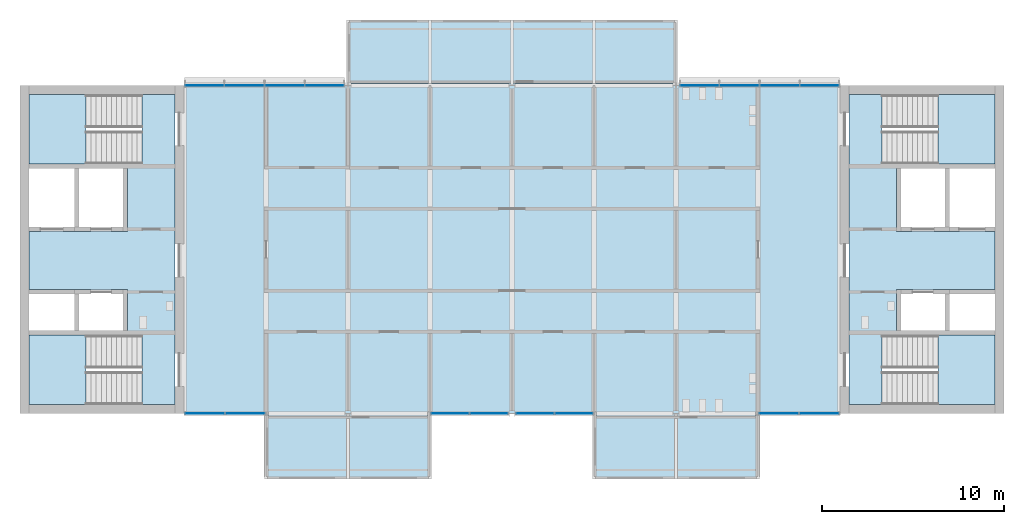
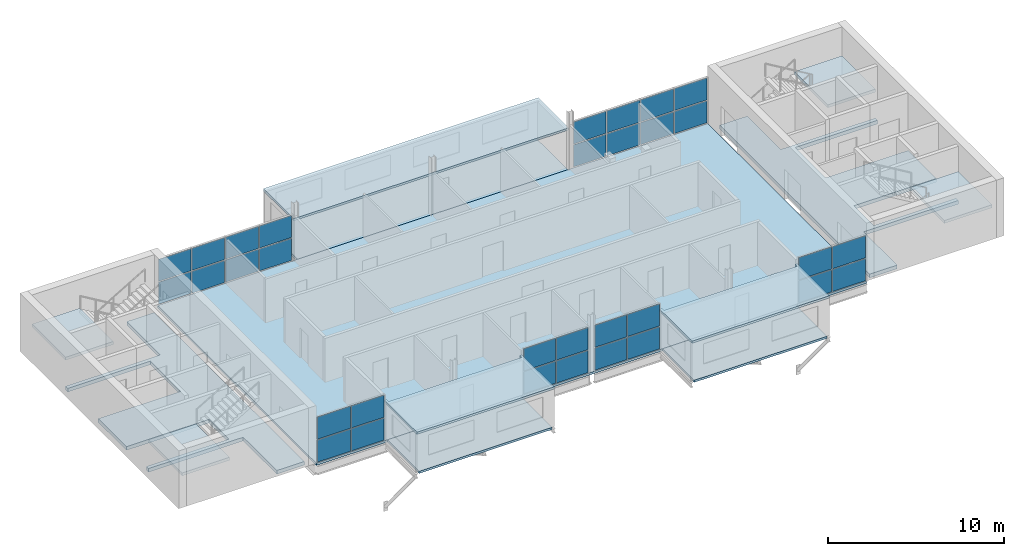
# One storey, part 4 of 12: 32 plates, 13 slabs, 10 elements without a shape of their own.
"""IFC4 building model written with IfcOpenShell, lengths in metres."""

from ifc_helpers import new_model, si_unit, direction, frame, origin, origin_2d, place, context, subcontext, project, spatial, polyline, rectangle, outline, extrude, material, layer, layer_set, type_object, element, aggregate, save


model = new_model("IFC4")

# Units and contexts
model_context = context("Model", 3, precision=1e-05, world=origin(), true_north=direction((0.0, 1.0)))
body_context = subcontext(model_context, "Body", "Model", "MODEL_VIEW")
ifc_project = project(units=[si_unit("LENGTHUNIT", "METRE"), si_unit("AREAUNIT", "SQUARE_METRE"), si_unit("VOLUMEUNIT", "CUBIC_METRE"), si_unit("PLANEANGLEUNIT", "RADIAN"), si_unit("MASSUNIT", "GRAM", prefix="KILO")], contexts=[model_context])

# Site, building, storey
site_placement = place(None, origin())
site = spatial("IfcSite", under=ifc_project, at=site_placement, CompositionType="ELEMENT")
building_placement = place(site_placement, origin())
building = spatial("IfcBuilding", under=site, at=building_placement, Name="Corbel Yard City Hall", CompositionType="ELEMENT")
storey_placement = place(building_placement, frame((0.0, 0.0, 55.199951171875)))
storey = spatial("IfcBuildingStorey", under=building, at=storey_placement, Name="L13", CompositionType="ELEMENT", Elevation=55.199951171875)

# Slabs
ifc_material_1 = material(Name="Concrete N40 (40 MPa)", Category="concrete")
ifc_layer_1 = layer(ifc_material_1, 0.25)
ifc_layer_set_1 = layer_set([ifc_layer_1], Name="Concrete N40 (40 MPa)")
slab_type_1 = type_object("IfcSlabType", Name="CF1", PredefinedType="FLOOR", material=ifc_layer_set_1)
slab_1_placement = place(storey_placement, frame((0.0, 0.0, -0.25)))
element("IfcSlab", 1, at=slab_1_placement, inside=storey, type_object=slab_type_1, Name="Core floor slab", PredefinedType="FLOOR", context=body_context, shape_type="SweptSolid", body=[
    extrude(outline(polyline([(8.5, 116.5), (6.698974609375, 116.5), (6.698974609375, 112.699951171875), (0.5, 112.699951171875), (0.5, 112.449951171875), (5.89990234375, 112.449951171875), (5.89990234375, 109.0), (0.5, 109.0), (0.5, 105.800048828125), (5.89990234375, 105.800048828125), (5.89990234375, 103.550048828125), (0.5, 103.550048828125), (0.5, 103.300048828125), (6.698974609375, 103.300048828125), (6.698974609375, 99.5), (8.5, 99.5), (8.5, 116.5)])), origin(), (0.0, 0.0, 1.0), 0.25),
])
slab_2_placement = place(storey_placement, frame((0.0, 0.0, -0.25)))
element("IfcSlab", 2, at=slab_2_placement, inside=storey, type_object=slab_type_1, Name="Core floor slab", PredefinedType="FLOOR", context=body_context, shape_type="SweptSolid", body=[
    extrude(outline(polyline([(53.5, 103.300048828125), (53.5, 103.550048828125), (48.10009765625, 103.550048828125), (48.10009765625, 105.800048828125), (53.5, 105.800048828125), (53.5, 109.0), (48.10009765625, 109.0), (48.10009765625, 112.449951171875), (53.5, 112.449951171875), (53.5, 112.699951171875), (47.301025390625, 112.699951171875), (47.301025390625, 116.5), (45.5, 116.5), (45.5, 99.5), (47.301025390625, 99.5), (47.301025390625, 103.300048828125), (53.5, 103.300048828125)])), origin(), (0.0, 0.0, 1.0), 0.25),
])
ifc_layer_2 = layer(ifc_material_1, 0.14990234375)
ifc_layer_set_2 = layer_set([ifc_layer_2], Name="Concrete N40 (40 MPa)")
slab_type_2 = type_object("IfcSlabType", Name="Floor slab 150", PredefinedType="FLOOR", material=ifc_layer_set_2)
slab_3_placement = place(storey_placement, frame((0.0, 0.0, -0.14990234375)))
element("IfcSlab", 3, at=slab_3_placement, inside=storey, type_object=slab_type_2, Name="Tower floor slab L13", PredefinedType="FLOOR", context=body_context, shape_type="SweptSolid", body=[
    extrude(outline(polyline([(45.0, 99.0), (45.0, 117.0), (9.0, 117.0), (9.0, 99.0), (45.0, 99.0)])), origin(), (0.0, 0.0, 1.0), 0.14990234375),
])

# Stair, slab
stair_type = type_object("IfcStairType", Name="ST4", PredefinedType="HALF_TURN_STAIR", material=ifc_material_1)
stair_1_placement = place(storey_placement, origin())
stair_1 = element("IfcStair", 4, at=stair_1_placement, inside=storey, type_object=stair_type, Name="Exit stair ST-W1 L13", PredefinedType="HALF_TURN_STAIR")
ifc_layer_3 = layer(ifc_material_1, 0.199951171875)
ifc_layer_set_3 = layer_set([ifc_layer_3], Name="Concrete N40 (40 MPa)")
slab_type_3 = type_object("IfcSlabType", Name="LN1", PredefinedType="LANDING", material=ifc_layer_set_3)
slab_4_placement = place(storey_placement, frame((0.0, 0.0, 1.800048828125)))
slab_4 = element("IfcSlab", 5, at=slab_4_placement, type_object=slab_type_3, Name="ST-W1 landing 1", PredefinedType="LANDING", context=body_context, shape_type="SweptSolid", body=[
    extrude(outline(polyline([(0.5, 99.5), (3.6201171875, 99.5), (3.6201171875, 103.300048828125), (0.5, 103.300048828125), (0.5, 99.5)])), origin(), (0.0, 0.0, 1.0), 0.199951171875),
])
aggregate(stair_1, [slab_4])

stair_2_placement = place(storey_placement, origin())
stair_2 = element("IfcStair", 6, at=stair_2_placement, inside=storey, type_object=stair_type, Name="Exit stair ST-W2 L13", PredefinedType="HALF_TURN_STAIR")
slab_5_placement = place(storey_placement, frame((0.0, 0.0, 1.800048828125)))
slab_5 = element("IfcSlab", 7, at=slab_5_placement, type_object=slab_type_3, Name="ST-W2 landing 1", PredefinedType="LANDING", context=body_context, shape_type="SweptSolid", body=[
    extrude(outline(polyline([(0.5, 112.699951171875), (3.6201171875, 112.699951171875), (3.6201171875, 116.5), (0.5, 116.5), (0.5, 112.699951171875)])), origin(), (0.0, 0.0, 1.0), 0.199951171875),
])
aggregate(stair_2, [slab_5])

stair_3_placement = place(storey_placement, origin())
stair_3 = element("IfcStair", 8, at=stair_3_placement, inside=storey, type_object=stair_type, Name="Exit stair ST-E1 L13", PredefinedType="HALF_TURN_STAIR")
slab_6_placement = place(storey_placement, frame((0.0, 0.0, 1.800048828125)))
slab_6 = element("IfcSlab", 9, at=slab_6_placement, type_object=slab_type_3, Name="ST-E1 landing 1", PredefinedType="LANDING", context=body_context, shape_type="SweptSolid", body=[
    extrude(outline(polyline([(50.3798828125, 99.5), (53.5, 99.5), (53.5, 103.300048828125), (50.3798828125, 103.300048828125), (50.3798828125, 99.5)])), origin(), (0.0, 0.0, 1.0), 0.199951171875),
])
aggregate(stair_3, [slab_6])

stair_4_placement = place(storey_placement, origin())
stair_4 = element("IfcStair", 10, at=stair_4_placement, inside=storey, type_object=stair_type, Name="Exit stair ST-E2 L13", PredefinedType="HALF_TURN_STAIR")
slab_7_placement = place(storey_placement, frame((0.0, 0.0, 1.800048828125)))
slab_7 = element("IfcSlab", 11, at=slab_7_placement, type_object=slab_type_3, Name="ST-E2 landing 1", PredefinedType="LANDING", context=body_context, shape_type="SweptSolid", body=[
    extrude(outline(polyline([(50.3798828125, 112.699951171875), (53.5, 112.699951171875), (53.5, 116.5), (50.3798828125, 116.5), (50.3798828125, 112.699951171875)])), origin(), (0.0, 0.0, 1.0), 0.199951171875),
])
aggregate(stair_4, [slab_7])

# Slabs
ifc_material_2 = material(Name="Concrete N32 (32 MPa)", Category="concrete")
ifc_layer_4 = layer(ifc_material_2, 0.14990234375)
ifc_layer_set_4 = layer_set([ifc_layer_4], Name="Concrete N32 (32 MPa)")
slab_type_4 = type_object("IfcSlabType", Name="PF1", PredefinedType="FLOOR", material=ifc_layer_set_4)
slab_8_placement = place(storey_placement, frame((0.0, 0.0, -0.14990234375)))
element("IfcSlab", 12, at=slab_8_placement, inside=storey, type_object=slab_type_4, Name="Pod floor slab L13", PredefinedType="FLOOR", context=body_context, shape_type="SweptSolid", body=[
    extrude(outline(polyline([(13.64990234375, 95.39990234375), (22.35009765625, 95.39990234375), (22.35009765625, 99.0), (13.64990234375, 99.0), (13.64990234375, 95.39990234375)])), origin(), (0.0, 0.0, 1.0), 0.14990234375),
])
slab_9_placement = place(storey_placement, frame((0.0, 0.0, -0.14990234375)))
element("IfcSlab", 13, at=slab_9_placement, inside=storey, type_object=slab_type_4, Name="Pod floor slab L13", PredefinedType="FLOOR", context=body_context, shape_type="SweptSolid", body=[
    extrude(outline(polyline([(31.64990234375, 95.39990234375), (40.35009765625, 95.39990234375), (40.35009765625, 99.0), (31.64990234375, 99.0), (31.64990234375, 95.39990234375)])), origin(), (0.0, 0.0, 1.0), 0.14990234375),
])
slab_10_placement = place(storey_placement, frame((0.0, 0.0, -0.14990234375)))
element("IfcSlab", 14, at=slab_10_placement, inside=storey, type_object=slab_type_4, Name="Pod floor slab L13", PredefinedType="FLOOR", context=body_context, shape_type="SweptSolid", body=[
    extrude(outline(polyline([(18.14990234375, 117.0), (35.85009765625, 117.0), (35.85009765625, 120.60009765625), (18.14990234375, 120.60009765625), (18.14990234375, 117.0)])), origin(), (0.0, 0.0, 1.0), 0.14990234375),
])
ifc_layer_5 = layer(ifc_material_2, 0.14990234375)
ifc_layer_set_5 = layer_set([ifc_layer_5], Name="Concrete N32 (32 MPa)")
slab_type_5 = type_object("IfcSlabType", Name="PH1", PredefinedType="ROOF", material=ifc_layer_set_5)
slab_11_placement = place(storey_placement, frame((0.0, 0.0, 2.60009765625)))
element("IfcSlab", 15, at=slab_11_placement, inside=storey, type_object=slab_type_5, Name="Pod roof slab L13", PredefinedType="ROOF", context=body_context, shape_type="SweptSolid", body=[
    extrude(outline(polyline([(13.5, 95.39990234375), (22.5, 95.39990234375), (22.5, 99.074951171875), (22.35009765625, 99.074951171875), (22.35009765625, 98.844482421875), (13.64990234375, 98.844482421875), (13.64990234375, 99.074951171875), (13.5, 99.074951171875), (13.5, 95.39990234375)])), origin(), (0.0, 0.0, 1.0), 0.14990234375),
])
slab_12_placement = place(storey_placement, frame((0.0, 0.0, 2.60009765625)))
element("IfcSlab", 16, at=slab_12_placement, inside=storey, type_object=slab_type_5, Name="Pod roof slab L13", PredefinedType="ROOF", context=body_context, shape_type="SweptSolid", body=[
    extrude(outline(polyline([(31.5, 95.39990234375), (40.5, 95.39990234375), (40.5, 99.074951171875), (40.35009765625, 99.074951171875), (40.35009765625, 98.844482421875), (31.64990234375, 98.844482421875), (31.64990234375, 99.074951171875), (31.5, 99.074951171875), (31.5, 95.39990234375)])), origin(), (0.0, 0.0, 1.0), 0.14990234375),
])
slab_13_placement = place(storey_placement, frame((0.0, 0.0, 2.60009765625)))
element("IfcSlab", 17, at=slab_13_placement, inside=storey, type_object=slab_type_5, Name="Pod roof slab L13", PredefinedType="ROOF", context=body_context, shape_type="SweptSolid", body=[
    extrude(outline(polyline([(18.0, 120.60009765625), (18.0, 117.155517578125), (36.0, 117.155517578125), (36.0, 120.60009765625), (18.0, 120.60009765625)])), origin(), (0.0, 0.0, 1.0), 0.14990234375),
])

# Curtain wall, plates
ifc_material_3 = material(Name="Aluminium extrusion", Category="aluminium")
ifc_layer_6 = layer(ifc_material_3, 0.14990234375)
ifc_layer_set_6 = layer_set([ifc_layer_6], Name="Aluminium extrusion")
curtain_wall_type_1 = type_object("IfcCurtainWallType", Name="CW2", PredefinedType="USERDEFINED", material=ifc_layer_set_6)
curtain_wall_1_placement = place(storey_placement, origin())
curtain_wall_1 = element("IfcCurtainWall", 18, at=curtain_wall_1_placement, inside=storey, type_object=curtain_wall_type_1, Name="Curtain wall CW2 L13", ObjectType="CURTAIN WALL", PredefinedType="USERDEFINED")
ifc_material_4 = material(Name="Double glazed low-e glass unit", Category="glass")
ifc_layer_7 = layer(ifc_material_4, 0.028076171875)
ifc_layer_set_7 = layer_set([ifc_layer_7], Name="Double glazed low-e glass unit")
plate_type_1 = type_object("IfcPlateType", Name="PN2", PredefinedType="CURTAIN_PANEL", material=ifc_layer_set_7)
plate_1_placement = place(storey_placement, frame((10.141357421875, 99.0, 0.06494140625), z_axis=(0.0, 0.0, 1.0), x_axis=(1.0, 0.0, 0.0)))
plate_1 = element("IfcPlate", 19, at=plate_1_placement, type_object=plate_type_1, Name="CW2 panel 1.1", PredefinedType="CURTAIN_PANEL", context=body_context, shape_type="SweptSolid", body=[
    extrude(rectangle(XDim=2.152587890625, YDim=0.028076171875, at=origin_2d()), origin(), (0.0, 0.0, 1.0), 1.521484375),
])
plate_2_placement = place(storey_placement, frame((10.141357421875, 99.0, 1.651611328125), z_axis=(0.0, 0.0, 1.0), x_axis=(1.0, 0.0, 0.0)))
plate_2 = element("IfcPlate", 20, at=plate_2_placement, type_object=plate_type_1, Name="CW2 panel 1.2", PredefinedType="CURTAIN_PANEL", context=body_context, shape_type="SweptSolid", body=[
    extrude(rectangle(XDim=2.152587890625, YDim=0.028076171875, at=origin_2d()), origin(), (0.0, 0.0, 1.0), 1.521484375),
])
plate_3_placement = place(storey_placement, frame((12.358642578125, 99.0, 0.06494140625), z_axis=(0.0, 0.0, 1.0), x_axis=(1.0, 0.0, 0.0)))
plate_3 = element("IfcPlate", 21, at=plate_3_placement, type_object=plate_type_1, Name="CW2 panel 2.1", PredefinedType="CURTAIN_PANEL", context=body_context, shape_type="SweptSolid", body=[
    extrude(rectangle(XDim=2.152587890625, YDim=0.028076171875, at=origin_2d()), origin(), (0.0, 0.0, 1.0), 1.521484375),
])
plate_4_placement = place(storey_placement, frame((12.358642578125, 99.0, 1.651611328125), z_axis=(0.0, 0.0, 1.0), x_axis=(1.0, 0.0, 0.0)))
plate_4 = element("IfcPlate", 22, at=plate_4_placement, type_object=plate_type_1, Name="CW2 panel 2.2", PredefinedType="CURTAIN_PANEL", context=body_context, shape_type="SweptSolid", body=[
    extrude(rectangle(XDim=2.152587890625, YDim=0.028076171875, at=origin_2d()), origin(), (0.0, 0.0, 1.0), 1.521484375),
])
aggregate(curtain_wall_1, [plate_1, plate_2, plate_3, plate_4])

curtain_wall_2_placement = place(storey_placement, origin())
curtain_wall_2 = element("IfcCurtainWall", 23, at=curtain_wall_2_placement, inside=storey, type_object=curtain_wall_type_1, Name="Curtain wall CW2 L13", ObjectType="CURTAIN WALL", PredefinedType="USERDEFINED")
plate_5_placement = place(storey_placement, frame((23.600341796875, 99.0, 0.06494140625), z_axis=(0.0, 0.0, 1.0), x_axis=(1.0, 0.0, 0.0)))
plate_5 = element("IfcPlate", 24, at=plate_5_placement, type_object=plate_type_1, Name="CW2 panel 1.1", PredefinedType="CURTAIN_PANEL", context=body_context, shape_type="SweptSolid", body=[
    extrude(rectangle(XDim=2.07080078125, YDim=0.028076171875, at=origin_2d()), origin(), (0.0, 0.0, 1.0), 1.521484375),
])
plate_6_placement = place(storey_placement, frame((23.600341796875, 99.0, 1.651611328125), z_axis=(0.0, 0.0, 1.0), x_axis=(1.0, 0.0, 0.0)))
plate_6 = element("IfcPlate", 25, at=plate_6_placement, type_object=plate_type_1, Name="CW2 panel 1.2", PredefinedType="CURTAIN_PANEL", context=body_context, shape_type="SweptSolid", body=[
    extrude(rectangle(XDim=2.07080078125, YDim=0.028076171875, at=origin_2d()), origin(), (0.0, 0.0, 1.0), 1.521484375),
])
plate_7_placement = place(storey_placement, frame((25.736083984375, 99.0, 0.06494140625), z_axis=(0.0, 0.0, 1.0), x_axis=(1.0, 0.0, 0.0)))
plate_7 = element("IfcPlate", 26, at=plate_7_placement, type_object=plate_type_1, Name="CW2 panel 2.1", PredefinedType="CURTAIN_PANEL", context=body_context, shape_type="SweptSolid", body=[
    extrude(rectangle(XDim=2.07080078125, YDim=0.028076171875, at=origin_2d()), origin(), (0.0, 0.0, 1.0), 1.521484375),
])
plate_8_placement = place(storey_placement, frame((25.736083984375, 99.0, 1.651611328125), z_axis=(0.0, 0.0, 1.0), x_axis=(1.0, 0.0, 0.0)))
plate_8 = element("IfcPlate", 27, at=plate_8_placement, type_object=plate_type_1, Name="CW2 panel 2.2", PredefinedType="CURTAIN_PANEL", context=body_context, shape_type="SweptSolid", body=[
    extrude(rectangle(XDim=2.07080078125, YDim=0.028076171875, at=origin_2d()), origin(), (0.0, 0.0, 1.0), 1.521484375),
])
aggregate(curtain_wall_2, [plate_5, plate_6, plate_7, plate_8])

curtain_wall_3_placement = place(storey_placement, origin())
curtain_wall_3 = element("IfcCurtainWall", 28, at=curtain_wall_3_placement, inside=storey, type_object=curtain_wall_type_1, Name="Curtain wall CW2 L13", ObjectType="CURTAIN WALL", PredefinedType="USERDEFINED")
plate_9_placement = place(storey_placement, frame((28.263916015625, 99.0, 0.06494140625), z_axis=(0.0, 0.0, 1.0), x_axis=(1.0, 0.0, 0.0)))
plate_9 = element("IfcPlate", 29, at=plate_9_placement, type_object=plate_type_1, Name="CW2 panel 1.1", PredefinedType="CURTAIN_PANEL", context=body_context, shape_type="SweptSolid", body=[
    extrude(rectangle(XDim=2.07080078125, YDim=0.028076171875, at=origin_2d()), origin(), (0.0, 0.0, 1.0), 1.521484375),
])
plate_10_placement = place(storey_placement, frame((28.263916015625, 99.0, 1.651611328125), z_axis=(0.0, 0.0, 1.0), x_axis=(1.0, 0.0, 0.0)))
plate_10 = element("IfcPlate", 30, at=plate_10_placement, type_object=plate_type_1, Name="CW2 panel 1.2", PredefinedType="CURTAIN_PANEL", context=body_context, shape_type="SweptSolid", body=[
    extrude(rectangle(XDim=2.07080078125, YDim=0.028076171875, at=origin_2d()), origin(), (0.0, 0.0, 1.0), 1.521484375),
])
plate_11_placement = place(storey_placement, frame((30.399658203125, 99.0, 0.06494140625), z_axis=(0.0, 0.0, 1.0), x_axis=(1.0, 0.0, 0.0)))
plate_11 = element("IfcPlate", 31, at=plate_11_placement, type_object=plate_type_1, Name="CW2 panel 2.1", PredefinedType="CURTAIN_PANEL", context=body_context, shape_type="SweptSolid", body=[
    extrude(rectangle(XDim=2.07080078125, YDim=0.028076171875, at=origin_2d()), origin(), (0.0, 0.0, 1.0), 1.521484375),
])
plate_12_placement = place(storey_placement, frame((30.399658203125, 99.0, 1.651611328125), z_axis=(0.0, 0.0, 1.0), x_axis=(1.0, 0.0, 0.0)))
plate_12 = element("IfcPlate", 32, at=plate_12_placement, type_object=plate_type_1, Name="CW2 panel 2.2", PredefinedType="CURTAIN_PANEL", context=body_context, shape_type="SweptSolid", body=[
    extrude(rectangle(XDim=2.07080078125, YDim=0.028076171875, at=origin_2d()), origin(), (0.0, 0.0, 1.0), 1.521484375),
])
aggregate(curtain_wall_3, [plate_9, plate_10, plate_11, plate_12])

curtain_wall_4_placement = place(storey_placement, origin())
curtain_wall_4 = element("IfcCurtainWall", 33, at=curtain_wall_4_placement, inside=storey, type_object=curtain_wall_type_1, Name="Curtain wall CW2 L13", ObjectType="CURTAIN WALL", PredefinedType="USERDEFINED")
plate_13_placement = place(storey_placement, frame((41.641357421875, 99.0, 0.06494140625), z_axis=(0.0, 0.0, 1.0), x_axis=(1.0, 0.0, 0.0)))
plate_13 = element("IfcPlate", 34, at=plate_13_placement, type_object=plate_type_1, Name="CW2 panel 1.1", PredefinedType="CURTAIN_PANEL", context=body_context, shape_type="SweptSolid", body=[
    extrude(rectangle(XDim=2.152587890625, YDim=0.028076171875, at=origin_2d()), origin(), (0.0, 0.0, 1.0), 1.521484375),
])
plate_14_placement = place(storey_placement, frame((41.641357421875, 99.0, 1.651611328125), z_axis=(0.0, 0.0, 1.0), x_axis=(1.0, 0.0, 0.0)))
plate_14 = element("IfcPlate", 35, at=plate_14_placement, type_object=plate_type_1, Name="CW2 panel 1.2", PredefinedType="CURTAIN_PANEL", context=body_context, shape_type="SweptSolid", body=[
    extrude(rectangle(XDim=2.152587890625, YDim=0.028076171875, at=origin_2d()), origin(), (0.0, 0.0, 1.0), 1.521484375),
])
plate_15_placement = place(storey_placement, frame((43.858642578125, 99.0, 0.06494140625), z_axis=(0.0, 0.0, 1.0), x_axis=(1.0, 0.0, 0.0)))
plate_15 = element("IfcPlate", 36, at=plate_15_placement, type_object=plate_type_1, Name="CW2 panel 2.1", PredefinedType="CURTAIN_PANEL", context=body_context, shape_type="SweptSolid", body=[
    extrude(rectangle(XDim=2.152587890625, YDim=0.028076171875, at=origin_2d()), origin(), (0.0, 0.0, 1.0), 1.521484375),
])
plate_16_placement = place(storey_placement, frame((43.858642578125, 99.0, 1.651611328125), z_axis=(0.0, 0.0, 1.0), x_axis=(1.0, 0.0, 0.0)))
plate_16 = element("IfcPlate", 37, at=plate_16_placement, type_object=plate_type_1, Name="CW2 panel 2.2", PredefinedType="CURTAIN_PANEL", context=body_context, shape_type="SweptSolid", body=[
    extrude(rectangle(XDim=2.152587890625, YDim=0.028076171875, at=origin_2d()), origin(), (0.0, 0.0, 1.0), 1.521484375),
])
aggregate(curtain_wall_4, [plate_13, plate_14, plate_15, plate_16])

ifc_layer_8 = layer(ifc_material_3, 0.179931640625)
ifc_layer_set_8 = layer_set([ifc_layer_8], Name="Aluminium extrusion")
curtain_wall_type_2 = type_object("IfcCurtainWallType", Name="CW6", PredefinedType="USERDEFINED", material=ifc_layer_set_8)
curtain_wall_5_placement = place(storey_placement, origin())
curtain_wall_5 = element("IfcCurtainWall", 38, at=curtain_wall_5_placement, inside=storey, type_object=curtain_wall_type_2, Name="Curtain wall CW6 L13", ObjectType="CURTAIN WALL", PredefinedType="USERDEFINED")
ifc_material_5 = material(Name="Double glazed low-e glass unit, ceramic fritted", Category="glass")
ifc_layer_9 = layer(ifc_material_5, 0.02392578125)
ifc_layer_set_9 = layer_set([ifc_layer_9], Name="Double glazed low-e glass unit, ceramic fritted")
plate_type_2 = type_object("IfcPlateType", Name="PN7", PredefinedType="CURTAIN_PANEL", material=ifc_layer_set_9)
plate_17_placement = place(storey_placement, frame((10.120849609375, 117.0, 0.06494140625), z_axis=(0.0, 0.0, 1.0), x_axis=(1.0, 0.0, 0.0)))
plate_17 = element("IfcPlate", 39, at=plate_17_placement, type_object=plate_type_2, Name="CW6 panel 1.1", PredefinedType="CURTAIN_PANEL", context=body_context, shape_type="SweptSolid", body=[
    extrude(rectangle(XDim=2.111572265625, YDim=0.02392578125, at=origin_2d()), origin(), (0.0, 0.0, 1.0), 1.521484375),
])
plate_18_placement = place(storey_placement, frame((10.120849609375, 117.0, 1.651611328125), z_axis=(0.0, 0.0, 1.0), x_axis=(1.0, 0.0, 0.0)))
plate_18 = element("IfcPlate", 40, at=plate_18_placement, type_object=plate_type_2, Name="CW6 panel 1.2", PredefinedType="CURTAIN_PANEL", context=body_context, shape_type="SweptSolid", body=[
    extrude(rectangle(XDim=2.111572265625, YDim=0.02392578125, at=origin_2d()), origin(), (0.0, 0.0, 1.0), 1.521484375),
])
plate_19_placement = place(storey_placement, frame((12.313720703125, 117.0, 0.06494140625), z_axis=(0.0, 0.0, 1.0), x_axis=(1.0, 0.0, 0.0)))
plate_19 = element("IfcPlate", 41, at=plate_19_placement, type_object=plate_type_2, Name="CW6 panel 2.1", PredefinedType="CURTAIN_PANEL", context=body_context, shape_type="SweptSolid", body=[
    extrude(rectangle(XDim=2.14404296875, YDim=0.02392578125, at=origin_2d()), origin(), (0.0, 0.0, 1.0), 1.521484375),
])
plate_20_placement = place(storey_placement, frame((12.313720703125, 117.0, 1.651611328125), z_axis=(0.0, 0.0, 1.0), x_axis=(1.0, 0.0, 0.0)))
plate_20 = element("IfcPlate", 42, at=plate_20_placement, type_object=plate_type_2, Name="CW6 panel 2.2", PredefinedType="CURTAIN_PANEL", context=body_context, shape_type="SweptSolid", body=[
    extrude(rectangle(XDim=2.14404296875, YDim=0.02392578125, at=origin_2d()), origin(), (0.0, 0.0, 1.0), 1.521484375),
])
plate_21_placement = place(storey_placement, frame((14.522705078125, 117.0, 0.06494140625), z_axis=(0.0, 0.0, 1.0), x_axis=(1.0, 0.0, 0.0)))
plate_21 = element("IfcPlate", 43, at=plate_21_placement, type_object=plate_type_2, Name="CW6 panel 3.1", PredefinedType="CURTAIN_PANEL", context=body_context, shape_type="SweptSolid", body=[
    extrude(rectangle(XDim=2.14404296875, YDim=0.02392578125, at=origin_2d()), origin(), (0.0, 0.0, 1.0), 1.521484375),
])
plate_22_placement = place(storey_placement, frame((14.522705078125, 117.0, 1.651611328125), z_axis=(0.0, 0.0, 1.0), x_axis=(1.0, 0.0, 0.0)))
plate_22 = element("IfcPlate", 44, at=plate_22_placement, type_object=plate_type_2, Name="CW6 panel 3.2", PredefinedType="CURTAIN_PANEL", context=body_context, shape_type="SweptSolid", body=[
    extrude(rectangle(XDim=2.14404296875, YDim=0.02392578125, at=origin_2d()), origin(), (0.0, 0.0, 1.0), 1.521484375),
])
plate_23_placement = place(storey_placement, frame((16.715576171875, 117.0, 0.06494140625), z_axis=(0.0, 0.0, 1.0), x_axis=(1.0, 0.0, 0.0)))
plate_23 = element("IfcPlate", 45, at=plate_23_placement, type_object=plate_type_2, Name="CW6 panel 4.1", PredefinedType="CURTAIN_PANEL", context=body_context, shape_type="SweptSolid", body=[
    extrude(rectangle(XDim=2.111572265625, YDim=0.02392578125, at=origin_2d()), origin(), (0.0, 0.0, 1.0), 1.521484375),
])
plate_24_placement = place(storey_placement, frame((16.715576171875, 117.0, 1.651611328125), z_axis=(0.0, 0.0, 1.0), x_axis=(1.0, 0.0, 0.0)))
plate_24 = element("IfcPlate", 46, at=plate_24_placement, type_object=plate_type_2, Name="CW6 panel 4.2", PredefinedType="CURTAIN_PANEL", context=body_context, shape_type="SweptSolid", body=[
    extrude(rectangle(XDim=2.111572265625, YDim=0.02392578125, at=origin_2d()), origin(), (0.0, 0.0, 1.0), 1.521484375),
])
aggregate(curtain_wall_5, [plate_17, plate_18, plate_19, plate_20, plate_21, plate_22, plate_23, plate_24])

curtain_wall_6_placement = place(storey_placement, origin())
curtain_wall_6 = element("IfcCurtainWall", 47, at=curtain_wall_6_placement, inside=storey, type_object=curtain_wall_type_2, Name="Curtain wall CW6 L13", ObjectType="CURTAIN WALL", PredefinedType="USERDEFINED")
plate_25_placement = place(storey_placement, frame((37.284423828125, 117.0, 0.06494140625), z_axis=(0.0, 0.0, 1.0), x_axis=(1.0, 0.0, 0.0)))
plate_25 = element("IfcPlate", 48, at=plate_25_placement, type_object=plate_type_2, Name="CW6 panel 1.1", PredefinedType="CURTAIN_PANEL", context=body_context, shape_type="SweptSolid", body=[
    extrude(rectangle(XDim=2.111572265625, YDim=0.02392578125, at=origin_2d()), origin(), (0.0, 0.0, 1.0), 1.521484375),
])
plate_26_placement = place(storey_placement, frame((37.284423828125, 117.0, 1.651611328125), z_axis=(0.0, 0.0, 1.0), x_axis=(1.0, 0.0, 0.0)))
plate_26 = element("IfcPlate", 49, at=plate_26_placement, type_object=plate_type_2, Name="CW6 panel 1.2", PredefinedType="CURTAIN_PANEL", context=body_context, shape_type="SweptSolid", body=[
    extrude(rectangle(XDim=2.111572265625, YDim=0.02392578125, at=origin_2d()), origin(), (0.0, 0.0, 1.0), 1.521484375),
])
plate_27_placement = place(storey_placement, frame((39.477294921875, 117.0, 0.06494140625), z_axis=(0.0, 0.0, 1.0), x_axis=(1.0, 0.0, 0.0)))
plate_27 = element("IfcPlate", 50, at=plate_27_placement, type_object=plate_type_2, Name="CW6 panel 2.1", PredefinedType="CURTAIN_PANEL", context=body_context, shape_type="SweptSolid", body=[
    extrude(rectangle(XDim=2.14404296875, YDim=0.02392578125, at=origin_2d()), origin(), (0.0, 0.0, 1.0), 1.521484375),
])
plate_28_placement = place(storey_placement, frame((39.477294921875, 117.0, 1.651611328125), z_axis=(0.0, 0.0, 1.0), x_axis=(1.0, 0.0, 0.0)))
plate_28 = element("IfcPlate", 51, at=plate_28_placement, type_object=plate_type_2, Name="CW6 panel 2.2", PredefinedType="CURTAIN_PANEL", context=body_context, shape_type="SweptSolid", body=[
    extrude(rectangle(XDim=2.14404296875, YDim=0.02392578125, at=origin_2d()), origin(), (0.0, 0.0, 1.0), 1.521484375),
])
plate_29_placement = place(storey_placement, frame((41.686279296875, 117.0, 0.06494140625), z_axis=(0.0, 0.0, 1.0), x_axis=(1.0, 0.0, 0.0)))
plate_29 = element("IfcPlate", 52, at=plate_29_placement, type_object=plate_type_2, Name="CW6 panel 3.1", PredefinedType="CURTAIN_PANEL", context=body_context, shape_type="SweptSolid", body=[
    extrude(rectangle(XDim=2.14404296875, YDim=0.02392578125, at=origin_2d()), origin(), (0.0, 0.0, 1.0), 1.521484375),
])
plate_30_placement = place(storey_placement, frame((41.686279296875, 117.0, 1.651611328125), z_axis=(0.0, 0.0, 1.0), x_axis=(1.0, 0.0, 0.0)))
plate_30 = element("IfcPlate", 53, at=plate_30_placement, type_object=plate_type_2, Name="CW6 panel 3.2", PredefinedType="CURTAIN_PANEL", context=body_context, shape_type="SweptSolid", body=[
    extrude(rectangle(XDim=2.14404296875, YDim=0.02392578125, at=origin_2d()), origin(), (0.0, 0.0, 1.0), 1.521484375),
])
plate_31_placement = place(storey_placement, frame((43.879150390625, 117.0, 0.06494140625), z_axis=(0.0, 0.0, 1.0), x_axis=(1.0, 0.0, 0.0)))
plate_31 = element("IfcPlate", 54, at=plate_31_placement, type_object=plate_type_2, Name="CW6 panel 4.1", PredefinedType="CURTAIN_PANEL", context=body_context, shape_type="SweptSolid", body=[
    extrude(rectangle(XDim=2.111572265625, YDim=0.02392578125, at=origin_2d()), origin(), (0.0, 0.0, 1.0), 1.521484375),
])
plate_32_placement = place(storey_placement, frame((43.879150390625, 117.0, 1.651611328125), z_axis=(0.0, 0.0, 1.0), x_axis=(1.0, 0.0, 0.0)))
plate_32 = element("IfcPlate", 55, at=plate_32_placement, type_object=plate_type_2, Name="CW6 panel 4.2", PredefinedType="CURTAIN_PANEL", context=body_context, shape_type="SweptSolid", body=[
    extrude(rectangle(XDim=2.111572265625, YDim=0.02392578125, at=origin_2d()), origin(), (0.0, 0.0, 1.0), 1.521484375),
])
aggregate(curtain_wall_6, [plate_25, plate_26, plate_27, plate_28, plate_29, plate_30, plate_31, plate_32])

save(model, "model.ifc")
